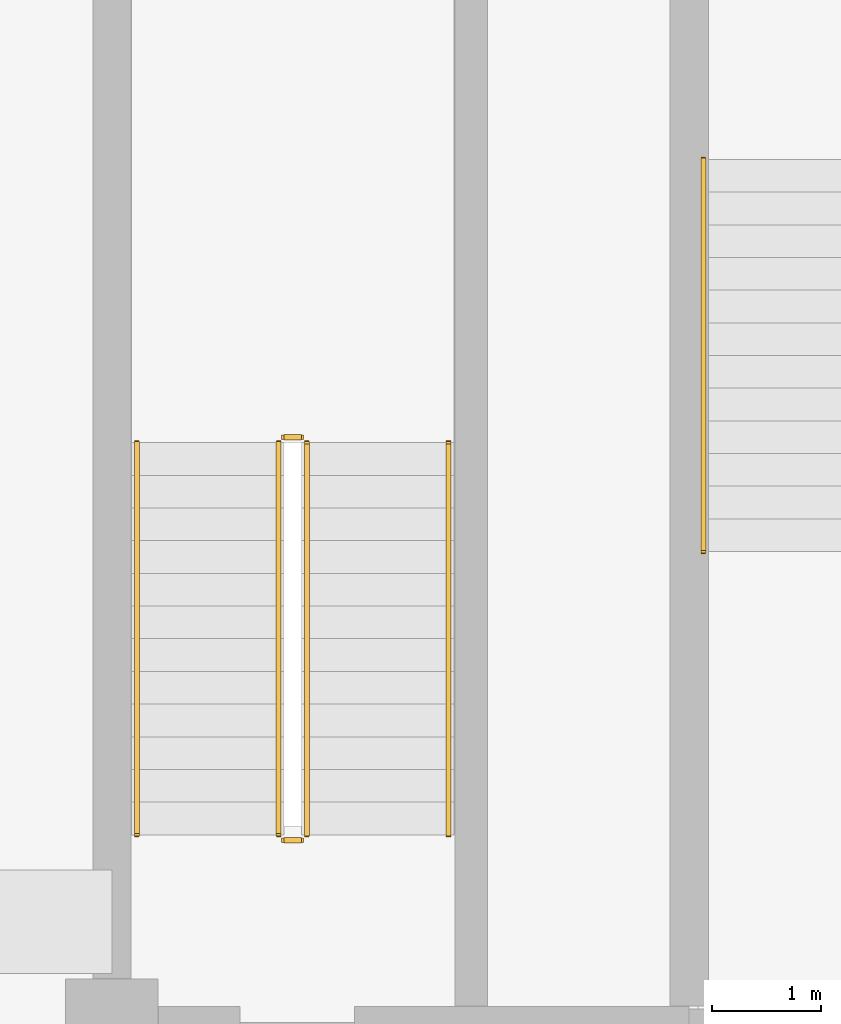
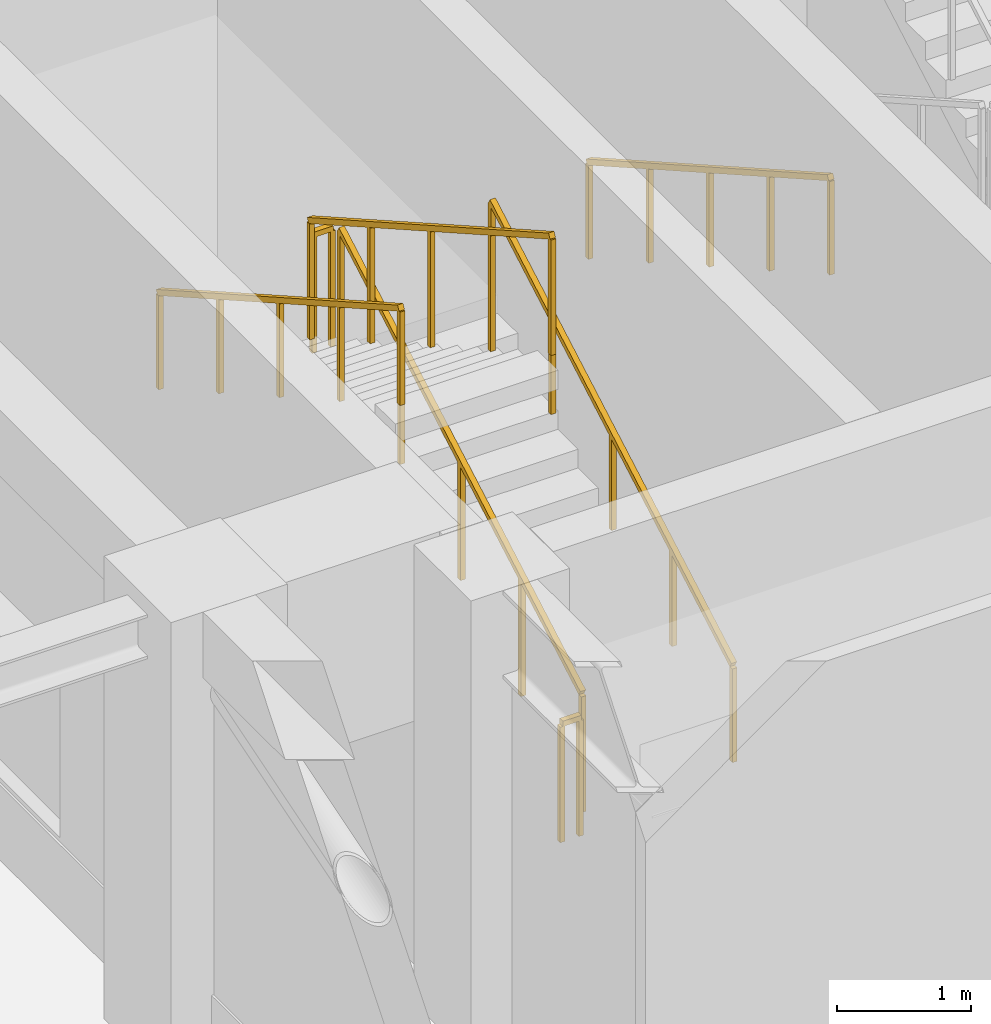
# One storey, part 14 of 20: 7 railings.
"""IFC4 building model written with IfcOpenShell, lengths in metres."""

from ifc_helpers import new_model, si_unit, direction, frame, origin, origin_2d, place, context, subcontext, project, spatial, rectangle, extrude, material, type_object, element, save


model = new_model("IFC4")

# Units and contexts
model_context = context("Model", 3, precision=1e-05, world=origin(), true_north=direction((0.0, 1.0)))
body_context = subcontext(model_context, "Body", "Model", "MODEL_VIEW")
ifc_project = project(units=[si_unit("LENGTHUNIT", "METRE"), si_unit("AREAUNIT", "SQUARE_METRE"), si_unit("VOLUMEUNIT", "CUBIC_METRE"), si_unit("PLANEANGLEUNIT", "RADIAN"), si_unit("MASSUNIT", "GRAM", prefix="KILO")], contexts=[model_context])

# Site, building, storey
site_placement = place(None, origin())
site = spatial("IfcSite", under=ifc_project, at=site_placement, CompositionType="ELEMENT")
building_placement = place(site_placement, origin())
building = spatial("IfcBuilding", under=site, at=building_placement, Name="Zulmaris Gate Convention Tower", CompositionType="ELEMENT")
storey_placement = place(building_placement, frame((0.0, 0.0, 158.23974609375)))
storey = spatial("IfcBuildingStorey", under=building, at=storey_placement, Name="L40", CompositionType="ELEMENT", Elevation=158.23974609375)

# Railings
ifc_material_1 = material(Name="Painted Galvanised Steel", Category="steel")
railing_type_1 = type_object("IfcRailingType", Name="RL-STG-1150", PredefinedType="GUARDRAIL", material=ifc_material_1)
railing_1_placement = place(storey_placement, frame((-18.2099609375, -8.199951171875, 0.169921875)))
element("IfcRailing", 1, at=railing_1_placement, inside=storey, type_object=railing_type_1, Name="L40 ST-3 stair guard 1", PredefinedType="GUARDRAIL", context=body_context, shape_type="SweptSolid", body=[
    extrude(rectangle(XDim=0.048095703125, YDim=0.048095703125, at=origin_2d()), frame((0.0, 0.0, 1.076171875), z_axis=(0.0, 0.870009531279, 0.493034902907), x_axis=(-1.0, 0.0, 0.0)), (0.0, 0.0, 1.0), 4.1376953125),
    extrude(rectangle(XDim=0.0419921875, YDim=0.0419921875, at=origin_2d()), origin(), (0.0, 0.0, 1.0), 1.052001953125),
    extrude(rectangle(XDim=0.0419921875, YDim=0.0419921875, at=origin_2d()), frame((0.0, 0.89990234375, 0.510009765625)), (0.0, 0.0, 1.0), 1.052001953125),
    extrude(rectangle(XDim=0.0419921875, YDim=0.0419921875, at=origin_2d()), frame((0.0, 1.7998046875, 1.02001953125)), (0.0, 0.0, 1.0), 1.052001953125),
    extrude(rectangle(XDim=0.0419921875, YDim=0.0419921875, at=origin_2d()), frame((0.0, 2.699951171875, 1.530029296875)), (0.0, 0.0, 1.0), 1.052001953125),
    extrude(rectangle(XDim=0.0419921875, YDim=0.0419921875, at=origin_2d()), frame((0.0, 3.599853515625, 2.0400390625)), (0.0, 0.0, 1.0), 1.052001953125),
])
railing_2_placement = place(storey_placement, frame((-18.260009765625, -4.550048828125, 2.2099609375)))
element("IfcRailing", 2, at=railing_2_placement, inside=storey, type_object=railing_type_1, Name="L40 ST-3 stair guard 2", PredefinedType="GUARDRAIL", context=body_context, shape_type="SweptSolid", body=[
    extrude(rectangle(XDim=0.048095703125, YDim=0.048095703125, at=origin_2d()), frame((0.0, 0.0, 1.076171875), z_axis=(-1.0, 0.0, 0.0), x_axis=(0.0, -1.0, 0.0)), (0.0, 0.0, 1.0), 0.159912109375),
    extrude(rectangle(XDim=0.0419921875, YDim=0.0419921875, at=origin_2d()), origin(), (0.0, 0.0, 1.0), 1.052001953125),
    extrude(rectangle(XDim=0.0419921875, YDim=0.0419921875, at=origin_2d()), frame((-0.159912109375, 0.0, 0.0)), (0.0, 0.0, 1.0), 1.052001953125),
])
railing_3_placement = place(storey_placement, frame((-18.469970703125, -4.60009765625, 2.380126953125)))
element("IfcRailing", 3, at=railing_3_placement, inside=storey, type_object=railing_type_1, Name="L40 ST-3 stair guard 3", PredefinedType="GUARDRAIL", context=body_context, shape_type="SweptSolid", body=[
    extrude(rectangle(XDim=0.048095703125, YDim=0.048095703125, at=origin_2d()), frame((0.0, 0.0, 1.076171875), z_axis=(0.0, -0.870009531279, 0.493034902907), x_axis=(1.0, 0.0, 0.0)), (0.0, 0.0, 1.0), 4.1376953125),
    extrude(rectangle(XDim=0.0419921875, YDim=0.0419921875, at=origin_2d()), origin(), (0.0, 0.0, 1.0), 1.052001953125),
    extrude(rectangle(XDim=0.0419921875, YDim=0.0419921875, at=origin_2d()), frame((0.0, -0.89990234375, 0.510009765625)), (0.0, 0.0, 1.0), 1.052001953125),
    extrude(rectangle(XDim=0.0419921875, YDim=0.0419921875, at=origin_2d()), frame((0.0, -1.7998046875, 1.02001953125)), (0.0, 0.0, 1.0), 1.052001953125),
    extrude(rectangle(XDim=0.0419921875, YDim=0.0419921875, at=origin_2d()), frame((0.0, -2.699951171875, 1.530029296875)), (0.0, 0.0, 1.0), 1.052001953125),
    extrude(rectangle(XDim=0.0419921875, YDim=0.0419921875, at=origin_2d()), frame((0.0, -3.599853515625, 2.0400390625)), (0.0, 0.0, 1.0), 1.052001953125),
])
railing_4_placement = place(storey_placement, frame((-18.260009765625, -8.25, 0.0)))
element("IfcRailing", 4, at=railing_4_placement, inside=storey, type_object=railing_type_1, Name="L40 ST-3 stair guard 4", PredefinedType="GUARDRAIL", context=body_context, shape_type="SweptSolid", body=[
    extrude(rectangle(XDim=0.048095703125, YDim=0.048095703125, at=origin_2d()), frame((0.0, 0.0, 1.076171875), z_axis=(-1.0, 0.0, 0.0), x_axis=(0.0, -1.0, 0.0)), (0.0, 0.0, 1.0), 0.159912109375),
    extrude(rectangle(XDim=0.0419921875, YDim=0.0419921875, at=origin_2d()), origin(), (0.0, 0.0, 1.0), 1.052001953125),
    extrude(rectangle(XDim=0.0419921875, YDim=0.0419921875, at=origin_2d()), frame((-0.159912109375, 0.0, 0.0)), (0.0, 0.0, 1.0), 1.052001953125),
])
ifc_material_2 = material(Name="Brushed Stainless Steel", Category="steel")
railing_type_2 = type_object("IfcRailingType", Name="RL-STH-900", PredefinedType="HANDRAIL", material=ifc_material_2)
railing_5_placement = place(storey_placement, frame((-14.570068359375, -2.0, 0.169921875)))
element("IfcRailing", 5, at=railing_5_placement, inside=storey, type_object=railing_type_2, Name="L40 ST-1 stair handrail 1", PredefinedType="HANDRAIL", context=body_context, shape_type="SweptSolid", body=[
    extrude(rectangle(XDim=0.048095703125, YDim=0.048095703125, at=origin_2d()), frame((0.0, 0.0, 0.8759765625), z_axis=(0.0, -0.870023872995, 0.493009594652), x_axis=(1.0, 0.0, 0.0)), (0.0, 0.0, 1.0), 4.137939453125),
    extrude(rectangle(XDim=0.0419921875, YDim=0.0419921875, at=origin_2d()), origin(), (0.0, 0.0, 1.0), 0.851806640625),
    extrude(rectangle(XDim=0.0419921875, YDim=0.0419921875, at=origin_2d()), frame((0.0, -0.89990234375, 0.510009765625)), (0.0, 0.0, 1.0), 0.851806640625),
    extrude(rectangle(XDim=0.0419921875, YDim=0.0419921875, at=origin_2d()), frame((0.0, -1.800048828125, 1.02001953125)), (0.0, 0.0, 1.0), 0.851806640625),
    extrude(rectangle(XDim=0.0419921875, YDim=0.0419921875, at=origin_2d()), frame((0.0, -2.7001953125, 1.530029296875)), (0.0, 0.0, 1.0), 0.851806640625),
    extrude(rectangle(XDim=0.0419921875, YDim=0.0419921875, at=origin_2d()), frame((0.0, -3.60009765625, 2.0400390625)), (0.0, 0.0, 1.0), 0.851806640625),
])
railing_6_placement = place(storey_placement, frame((-16.909912109375, -8.199951171875, 0.169921875)))
element("IfcRailing", 6, at=railing_6_placement, inside=storey, type_object=railing_type_2, Name="L40 ST-3 stair handrail 1", PredefinedType="HANDRAIL", context=body_context, shape_type="SweptSolid", body=[
    extrude(rectangle(XDim=0.048095703125, YDim=0.048095703125, at=origin_2d()), frame((0.0, 0.0, 0.8759765625), z_axis=(0.0, 0.870009531279, 0.493034902907), x_axis=(-1.0, 0.0, 0.0)), (0.0, 0.0, 1.0), 4.1376953125),
    extrude(rectangle(XDim=0.0419921875, YDim=0.0419921875, at=origin_2d()), origin(), (0.0, 0.0, 1.0), 0.851806640625),
    extrude(rectangle(XDim=0.0419921875, YDim=0.0419921875, at=origin_2d()), frame((0.0, 0.89990234375, 0.510009765625)), (0.0, 0.0, 1.0), 0.851806640625),
    extrude(rectangle(XDim=0.0419921875, YDim=0.0419921875, at=origin_2d()), frame((0.0, 1.7998046875, 1.02001953125)), (0.0, 0.0, 1.0), 0.851806640625),
    extrude(rectangle(XDim=0.0419921875, YDim=0.0419921875, at=origin_2d()), frame((0.0, 2.699951171875, 1.530029296875)), (0.0, 0.0, 1.0), 0.851806640625),
    extrude(rectangle(XDim=0.0419921875, YDim=0.0419921875, at=origin_2d()), frame((0.0, 3.599853515625, 2.0400390625)), (0.0, 0.0, 1.0), 0.851806640625),
])
railing_7_placement = place(storey_placement, frame((-19.77001953125, -4.60009765625, 2.380126953125)))
element("IfcRailing", 7, at=railing_7_placement, inside=storey, type_object=railing_type_2, Name="L40 ST-3 stair handrail 2", PredefinedType="HANDRAIL", context=body_context, shape_type="SweptSolid", body=[
    extrude(rectangle(XDim=0.048095703125, YDim=0.048095703125, at=origin_2d()), frame((0.0, 0.0, 0.8759765625), z_axis=(0.0, -0.870009531279, 0.493034902907), x_axis=(1.0, 0.0, 0.0)), (0.0, 0.0, 1.0), 4.1376953125),
    extrude(rectangle(XDim=0.0419921875, YDim=0.0419921875, at=origin_2d()), origin(), (0.0, 0.0, 1.0), 0.851806640625),
    extrude(rectangle(XDim=0.0419921875, YDim=0.0419921875, at=origin_2d()), frame((0.0, -0.89990234375, 0.510009765625)), (0.0, 0.0, 1.0), 0.851806640625),
    extrude(rectangle(XDim=0.0419921875, YDim=0.0419921875, at=origin_2d()), frame((0.0, -1.7998046875, 1.02001953125)), (0.0, 0.0, 1.0), 0.851806640625),
    extrude(rectangle(XDim=0.0419921875, YDim=0.0419921875, at=origin_2d()), frame((0.0, -2.699951171875, 1.530029296875)), (0.0, 0.0, 1.0), 0.851806640625),
    extrude(rectangle(XDim=0.0419921875, YDim=0.0419921875, at=origin_2d()), frame((0.0, -3.599853515625, 2.0400390625)), (0.0, 0.0, 1.0), 0.851806640625),
])

save(model, "model.ifc")
